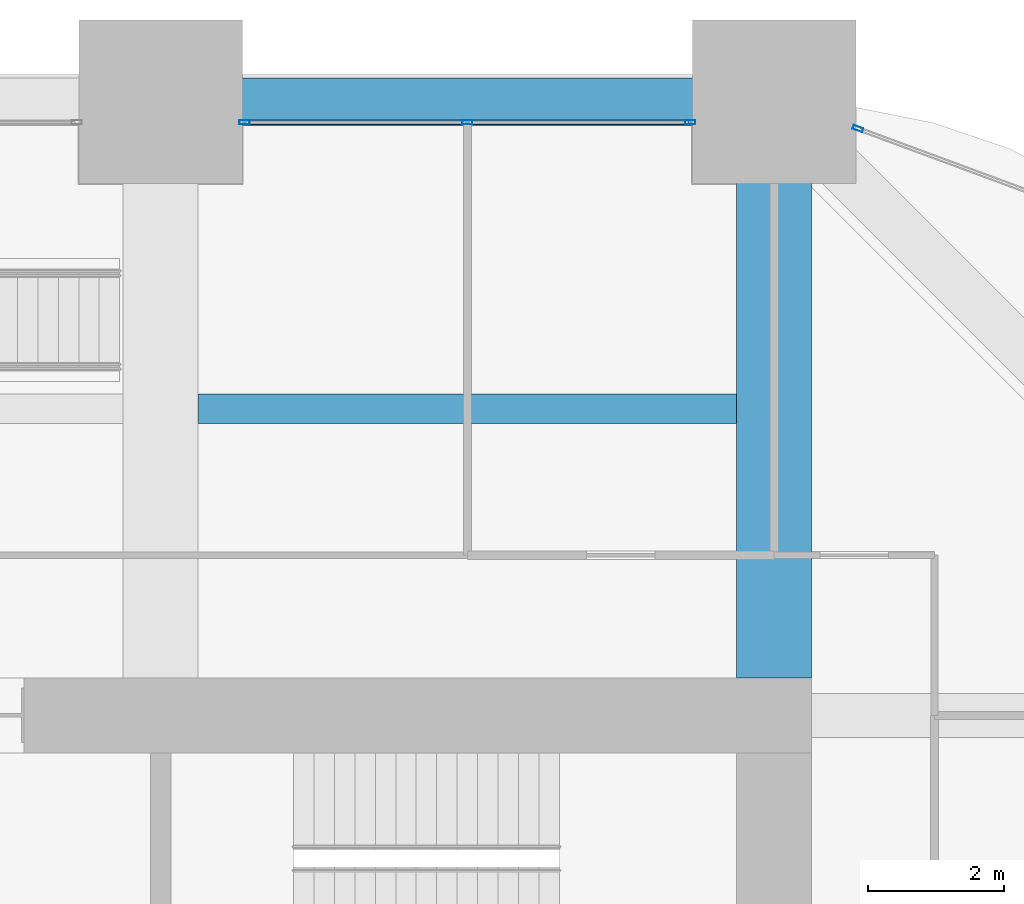
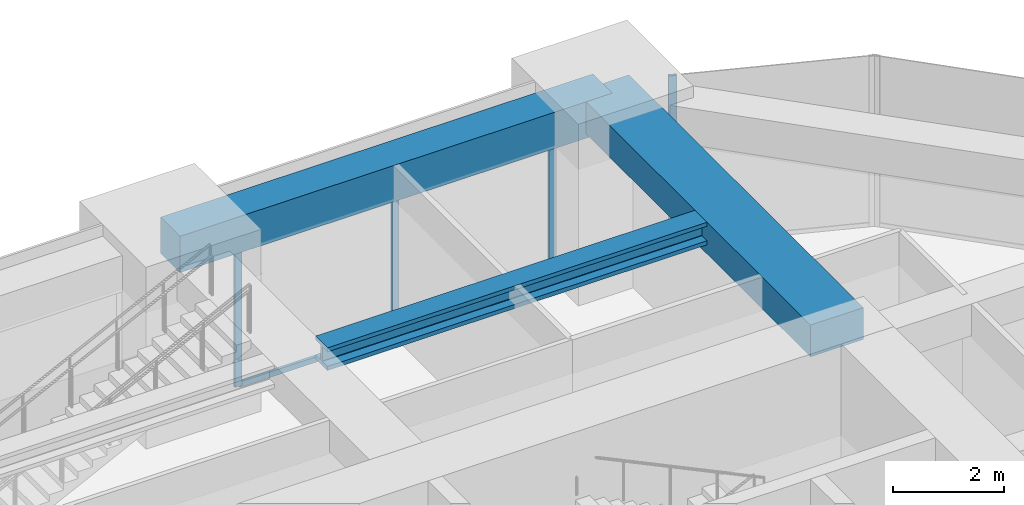
# One storey, part 26 of 34: 5 members, 3 beams, 2 elements without a shape of their own.
"""IFC4 building model written with IfcOpenShell, lengths in metres."""

from ifc_helpers import new_model, si_unit, direction, frame, origin, origin_2d, place, context, subcontext, project, spatial, rectangle, hollow_rectangle, i_section, extrude, material, material_profile, profile_set, type_object, element, aggregate, save


model = new_model("IFC4")

# Units and contexts
model_context = context("Model", 3, precision=1e-05, world=origin(), true_north=direction((0.0, 1.0)))
body_context = subcontext(model_context, "Body", "Model", "MODEL_VIEW")
ifc_project = project(units=[si_unit("LENGTHUNIT", "METRE"), si_unit("AREAUNIT", "SQUARE_METRE"), si_unit("VOLUMEUNIT", "CUBIC_METRE"), si_unit("PLANEANGLEUNIT", "RADIAN"), si_unit("MASSUNIT", "GRAM", prefix="KILO")], contexts=[model_context])

# Site, building, storey
site_placement = place(None, origin())
site = spatial("IfcSite", under=ifc_project, at=site_placement, CompositionType="ELEMENT")
building_placement = place(site_placement, origin())
building = spatial("IfcBuilding", under=site, at=building_placement, Name="Zorevar Civic Tower", CompositionType="ELEMENT")
storey_placement = place(building_placement, frame((0.0, 0.0, 214.199951171875)))
storey = spatial("IfcBuildingStorey", under=building, at=storey_placement, Name="L52", CompositionType="ELEMENT", Elevation=214.199951171875)

# Beam
ifc_material_1 = material(Name="Concrete C50/60", Category="concrete")
ifc_material_profile_1 = material_profile(ifc_material_1, rectangle(XDim=1.10009765625, YDim=0.699951171875, at=origin_2d()), Name="RC 1100x700")
ifc_profile_set_1 = profile_set([ifc_material_profile_1], Name="Concrete C50/60")
beam_type_1 = type_object("IfcBeamType", Name="Beam RC 1100x700", PredefinedType="BEAM", material=ifc_profile_set_1)
beam_1_placement = place(storey_placement, frame((45.0, 36.550048828125, 3.400146484375), z_axis=(0.0, 1.0, 0.0), x_axis=(-1.0, 0.0, 0.0)))
element("IfcBeam", 1, at=beam_1_placement, inside=storey, type_object=beam_type_1, Name="Girder L53", PredefinedType="BEAM", context=body_context, shape_type="SweptSolid", body=[
    extrude(rectangle(XDim=1.10009765625, YDim=0.699951171875, at=origin_2d()), origin(), (0.0, 0.0, 1.0), 8.449951171875),
])

# Curtain wall, members
ifc_material_2 = material(Name="Dark grey solar-control glass in black aluminium frame", Category="aluminium")
curtain_wall_type = type_object("IfcCurtainWallType", Name="Curtain wall CW4 high zone", PredefinedType="NOTDEFINED", material=ifc_material_2)
curtain_wall_1_placement = place(storey_placement, origin())
curtain_wall_1 = element("IfcCurtainWall", 2, at=curtain_wall_1_placement, inside=storey, type_object=curtain_wall_type, Name="CW4 L52", PredefinedType="NOTDEFINED")
ifc_material_3 = material(Name="Aluminium, black anodised", Category="aluminium")
ifc_material_profile_2 = material_profile(ifc_material_3, hollow_rectangle(XDim=0.06005859375, YDim=0.14990234375, WallThickness=0.00390625, at=origin_2d()), Name="AL 150x60x4")
ifc_profile_set_2 = profile_set([ifc_material_profile_2], Name="Aluminium, black anodised")
member_type_1 = type_object("IfcMemberType", Name="CW4 mullion AL 150x60x4", PredefinedType="MULLION", material=ifc_profile_set_2)
member_1_placement = place(storey_placement, frame((37.22998046875, 44.699951171875, 0.0), z_axis=(0.0, 0.0, 1.0), x_axis=(0.0, 1.0, 0.0)))
member_1 = element("IfcMember", 3, at=member_1_placement, type_object=member_type_1, Name="CW4 mullion 1", PredefinedType="MULLION", context=body_context, shape_type="SweptSolid", body=[
    extrude(hollow_rectangle(XDim=0.06005859375, YDim=0.14990234375, WallThickness=0.00390625, at=origin_2d()), origin(), (0.0, 0.0, 1.0), 2.949951171875),
])
member_2_placement = place(storey_placement, frame((40.5, 44.699951171875, 0.06005859375), z_axis=(0.0, 0.0, 1.0), x_axis=(0.0, 1.0, 0.0)))
member_2 = element("IfcMember", 4, at=member_2_placement, type_object=member_type_1, Name="CW4 mullion 2", PredefinedType="MULLION", context=body_context, shape_type="SweptSolid", body=[
    extrude(hollow_rectangle(XDim=0.06005859375, YDim=0.14990234375, WallThickness=0.00390625, at=origin_2d()), origin(), (0.0, 0.0, 1.0), 2.889892578125),
])
member_3_placement = place(storey_placement, frame((43.77001953125, 44.699951171875, 0.0), z_axis=(0.0, 0.0, 1.0), x_axis=(0.0, 1.0, 0.0)))
member_3 = element("IfcMember", 5, at=member_3_placement, type_object=member_type_1, Name="CW4 mullion 3", PredefinedType="MULLION", context=body_context, shape_type="SweptSolid", body=[
    extrude(hollow_rectangle(XDim=0.06005859375, YDim=0.14990234375, WallThickness=0.00390625, at=origin_2d()), origin(), (0.0, 0.0, 1.0), 2.949951171875),
])

# Curtain wall, member
curtain_wall_2_placement = place(storey_placement, origin())
curtain_wall_2 = element("IfcCurtainWall", 6, at=curtain_wall_2_placement, inside=storey, type_object=curtain_wall_type, Name="CW4 L52", PredefinedType="NOTDEFINED")
member_4_placement = place(storey_placement, frame((46.22802734375, 44.6064453125, 0.0), z_axis=(0.0, 0.0, 1.0), x_axis=(-0.346704012033, -0.937974588163, 0.0)))
member_4 = element("IfcMember", 7, at=member_4_placement, type_object=member_type_1, Name="CW4 mullion 2", PredefinedType="MULLION", context=body_context, shape_type="SweptSolid", body=[
    extrude(hollow_rectangle(XDim=0.06005859375, YDim=0.14990234375, WallThickness=0.00390625, at=origin_2d()), origin(), (0.0, 0.0, 1.0), 3.75),
])
aggregate(curtain_wall_2, [member_4])

# Member
ifc_material_4 = material(Name="Aluminium, black anodised", Category="aluminium")
ifc_material_profile_3 = material_profile(ifc_material_4, hollow_rectangle(XDim=0.06005859375, YDim=0.1201171875, WallThickness=0.0029296875, at=origin_2d()), Name="AL 120x60x3")
ifc_profile_set_3 = profile_set([ifc_material_profile_3], Name="Aluminium, black anodised")
member_type_2 = type_object("IfcMemberType", Name="CW4 transom AL 120x60x3", PredefinedType="USERDEFINED", material=ifc_profile_set_3)
member_5_placement = place(storey_placement, frame((37.260009765625, 44.699951171875, 0.030029296875), z_axis=(1.0, 0.0, 0.0), x_axis=(0.0, 1.0, 0.0)))
member_5 = element("IfcMember", 8, at=member_5_placement, type_object=member_type_2, Name="CW4 sill transom", ObjectType="TRANSOM", PredefinedType="USERDEFINED", context=body_context, shape_type="SweptSolid", body=[
    extrude(hollow_rectangle(XDim=0.06005859375, YDim=0.1201171875, WallThickness=0.0029296875, at=origin_2d()), origin(), (0.0, 0.0, 1.0), 6.47998046875),
])

aggregate(curtain_wall_1, [member_1, member_2, member_3, member_5])

# Beams
ifc_material_5 = material(Name="Steel S460M (HISTAR 460)", Category="steel")
ifc_material_profile_4 = material_profile(ifc_material_5, i_section(OverallWidth=0.431884765625, OverallDepth=0.498046875, WebThickness=0.0556640625, FlangeThickness=0.0888671875, FilletRadius=0.014892578125, at=origin_2d()), Name="HD 400x744")
ifc_profile_set_4 = profile_set([ifc_material_profile_4], Name="Steel S460M (HISTAR 460)")
beam_type_2 = type_object("IfcBeamType", Name="Core bay beam HD 400x744", PredefinedType="BEAM", material=ifc_profile_set_4)
beam_2_placement = place(storey_placement, frame((36.550048828125, 40.5, 3.5009765625), z_axis=(1.0, 0.0, 0.0), x_axis=(0.0, 1.0, 0.0)))
element("IfcBeam", 9, at=beam_2_placement, inside=storey, type_object=beam_type_2, Name="Secondary beam L53", PredefinedType="BEAM", context=body_context, shape_type="SweptSolid", body=[
    extrude(i_section(OverallWidth=0.431884765625, OverallDepth=0.498046875, WebThickness=0.0556640625, FlangeThickness=0.0888671875, FilletRadius=0.014892578125, at=origin_2d()), origin(), (0.0, 0.0, 1.0), 7.89990234375),
])
ifc_material_6 = material(Name="Concrete C50/60", Category="concrete")
ifc_material_profile_5 = material_profile(ifc_material_6, rectangle(XDim=0.699951171875, YDim=0.800048828125, at=origin_2d()), Name="RC 700x800")
ifc_profile_set_5 = profile_set([ifc_material_profile_5], Name="Concrete C50/60")
beam_type_3 = type_object("IfcBeamType", Name="Edge beam RC 700x800", PredefinedType="SPANDREL", material=ifc_profile_set_5)
beam_3_placement = place(storey_placement, frame((36.0, 45.0, 3.35009765625), z_axis=(1.0, 0.0, 0.0), x_axis=(0.0, 1.0, 0.0)))
element("IfcBeam", 10, at=beam_3_placement, inside=storey, type_object=beam_type_3, Name="Edge beam L53", PredefinedType="SPANDREL", context=body_context, shape_type="SweptSolid", body=[
    extrude(rectangle(XDim=0.699951171875, YDim=0.800048828125, at=origin_2d()), origin(), (0.0, 0.0, 1.0), 9.0),
])

save(model, "model.ifc")
